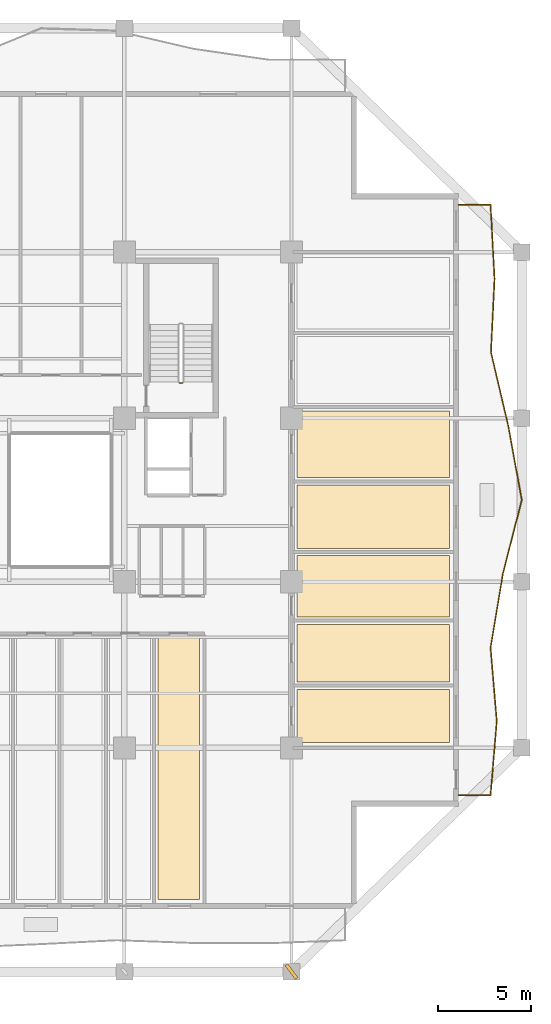
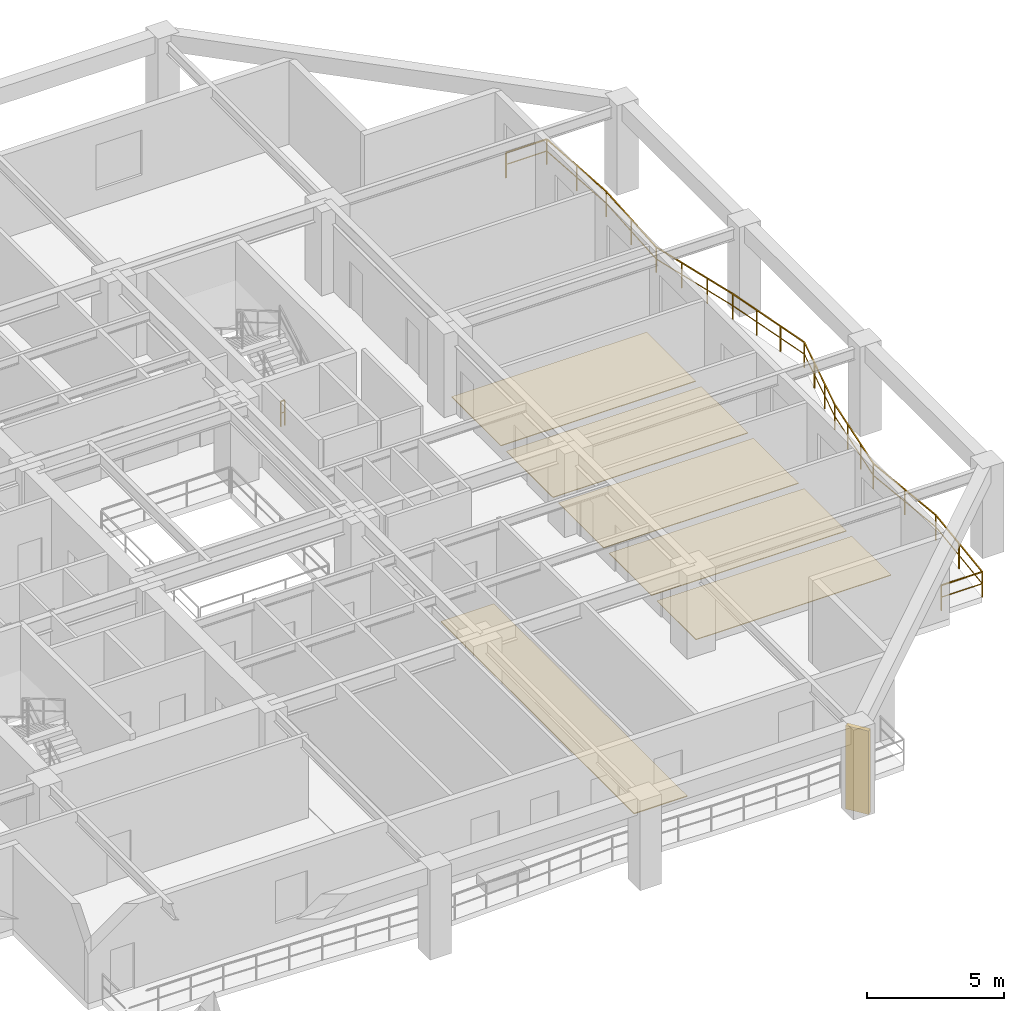
# One storey, part 10 of 13: 6 coverings, 2 railings, 1 shading device.
"""IFC4 building model written with IfcOpenShell, lengths in metres."""

from ifc_helpers import new_model, si_unit, direction, frame, origin, origin_2d, place, context, subcontext, project, spatial, polyline, rectangle, outline, extrude, material, layer, layer_set, type_object, element, save


model = new_model("IFC4")

# Units and contexts
model_context = context("Model", 3, precision=1e-05, world=origin(), true_north=direction((0.0, 1.0)))
body_context = subcontext(model_context, "Body", "Model", "MODEL_VIEW")
ifc_project = project(units=[si_unit("LENGTHUNIT", "METRE"), si_unit("AREAUNIT", "SQUARE_METRE"), si_unit("VOLUMEUNIT", "CUBIC_METRE"), si_unit("PLANEANGLEUNIT", "RADIAN"), si_unit("MASSUNIT", "GRAM", prefix="KILO")], contexts=[model_context])

# Site, building, storey
site_placement = place(None, origin())
site = spatial("IfcSite", under=ifc_project, at=site_placement, CompositionType="ELEMENT")
building_placement = place(site_placement, origin())
building = spatial("IfcBuilding", under=site, at=building_placement, Name="Kundavana Baori Tower", CompositionType="ELEMENT")
storey_placement = place(building_placement, frame((0.0, 0.0, 62.0)))
storey = spatial("IfcBuildingStorey", under=building, at=storey_placement, Name="L14", CompositionType="ELEMENT", Elevation=62.0)

# Coverings
ifc_material_1 = material(Name="Honed Kota Stone and Terrazzo Flooring", Category="masonry")
ifc_layer_1 = layer(ifc_material_1, 0.0400390625, Name="COV-FLR-TERR-40")
ifc_layer_set_1 = layer_set([ifc_layer_1], Name="Honed Kota Stone and Terrazzo Flooring")
covering_type_1 = type_object("IfcCoveringType", Name="COV-FLR-TERR-40", PredefinedType="FLOORING", material=ifc_layer_set_1)
covering_1_placement = place(storey_placement, origin())
element("IfcCovering", 1, at=covering_1_placement, inside=storey, type_object=covering_type_1, Name="L14 Room Finished Stone Flooring 6", PredefinedType="FLOORING", context=body_context, shape_type="SweptSolid", body=[
    extrude(outline(polyline([(35.60009765625, 7.080078125), (37.840087890625, 7.080078125), (37.840087890625, 21.199951171875), (35.60009765625, 21.199951171875), (35.60009765625, 7.080078125)])), origin(), (0.0, 0.0, 1.0), 0.0400390625),
])
ifc_material_2 = material(Name="Honed Kota Stone and Terrazzo Flooring", Category="masonry")
ifc_layer_2 = layer(ifc_material_2, 0.030029296875, Name="COV-INT-FLR")
ifc_layer_set_2 = layer_set([ifc_layer_2], Name="Honed Kota Stone and Terrazzo Flooring")
covering_type_2 = type_object("IfcCoveringType", Name="COV-INT-FLR", PredefinedType="FLOORING", material=ifc_layer_set_2)
covering_2_placement = place(storey_placement, origin())
element("IfcCovering", 2, at=covering_2_placement, inside=storey, type_object=covering_type_2, Name="L14 Room Finished Stone Flooring 7", PredefinedType="FLOORING", context=body_context, shape_type="SweptSolid", body=[
    extrude(outline(polyline([(43.10009765625, 15.550048828125), (51.320068359375, 15.550048828125), (51.320068359375, 18.39990234375), (43.10009765625, 18.39990234375), (43.10009765625, 15.550048828125)])), origin(), (0.0, 0.0, 1.0), 0.030029296875),
])
covering_3_placement = place(storey_placement, origin())
element("IfcCovering", 3, at=covering_3_placement, inside=storey, type_object=covering_type_2, Name="L14 Room Finished Stone Flooring 8", PredefinedType="FLOORING", context=body_context, shape_type="SweptSolid", body=[
    extrude(outline(polyline([(43.10009765625, 18.800048828125), (51.320068359375, 18.800048828125), (51.320068359375, 21.89990234375), (43.10009765625, 21.89990234375), (43.10009765625, 18.800048828125)])), origin(), (0.0, 0.0, 1.0), 0.030029296875),
])
covering_4_placement = place(storey_placement, origin())
element("IfcCovering", 4, at=covering_4_placement, inside=storey, type_object=covering_type_2, Name="L14 Room Finished Stone Flooring 9", PredefinedType="FLOORING", context=body_context, shape_type="SweptSolid", body=[
    extrude(outline(polyline([(43.10009765625, 22.300048828125), (51.320068359375, 22.300048828125), (51.320068359375, 25.60009765625), (43.10009765625, 25.60009765625), (43.10009765625, 22.300048828125)])), origin(), (0.0, 0.0, 1.0), 0.030029296875),
])
covering_5_placement = place(storey_placement, origin())
element("IfcCovering", 5, at=covering_5_placement, inside=storey, type_object=covering_type_2, Name="L14 Room Finished Stone Flooring 10", PredefinedType="FLOORING", context=body_context, shape_type="SweptSolid", body=[
    extrude(outline(polyline([(43.10009765625, 26.0), (51.320068359375, 26.0), (51.320068359375, 29.39990234375), (43.10009765625, 29.39990234375), (43.10009765625, 26.0)])), origin(), (0.0, 0.0, 1.0), 0.030029296875),
])
covering_6_placement = place(storey_placement, origin())
element("IfcCovering", 6, at=covering_6_placement, inside=storey, type_object=covering_type_2, Name="L14 Room Finished Stone Flooring 11", PredefinedType="FLOORING", context=body_context, shape_type="SweptSolid", body=[
    extrude(outline(polyline([(43.10009765625, 29.800048828125), (51.320068359375, 29.800048828125), (51.320068359375, 33.39990234375), (43.10009765625, 33.39990234375), (43.10009765625, 29.800048828125)])), origin(), (0.0, 0.0, 1.0), 0.030029296875),
])

# Railings
ifc_material_3 = material(Name="Architectural Patinated Bronze Metalwork")
railing_type_1 = type_object("IfcRailingType", Name="RL-BAL-1150", PredefinedType="BALUSTRADE", material=ifc_material_3)
railing_1_placement = place(storey_placement, frame((51.800048828125, 44.5, 0.0)))
element("IfcRailing", 7, at=railing_1_placement, inside=storey, type_object=railing_type_1, Name="L14 Loggia Balcony Balustrade E", PredefinedType="BALUSTRADE", context=body_context, shape_type="SweptSolid", body=[
    extrude(rectangle(XDim=0.048095703125, YDim=0.048095703125, at=origin_2d()), frame((0.0, 0.0, 1.1259765625), z_axis=(1.0, 0.0, 0.0), x_axis=(0.0, 1.0, 0.0)), (0.0, 0.0, 1.0), 1.719970703125),
    extrude(rectangle(XDim=0.03125, YDim=0.03125, at=origin_2d()), frame((0.0, 0.0, 0.597900390625), z_axis=(1.0, 0.0, 0.0), x_axis=(0.0, 1.0, 0.0)), (0.0, 0.0, 1.0), 1.719970703125),
    extrude(rectangle(XDim=0.048095703125, YDim=0.048095703125, at=origin_2d()), frame((1.719970703125, 0.0, 1.1259765625), z_axis=(0.054274386588, -0.99852605923, 0.0), x_axis=(0.99852605923, 0.054274386588, 0.0)), (0.0, 0.0, 1.0), 3.98095703125),
    extrude(rectangle(XDim=0.03125, YDim=0.03125, at=origin_2d()), frame((1.719970703125, 0.0, 0.597900390625), z_axis=(0.054274386588, -0.99852605923, 0.0), x_axis=(0.99852605923, 0.054274386588, 0.0)), (0.0, 0.0, 1.0), 3.98095703125),
    extrude(rectangle(XDim=0.048095703125, YDim=0.048095703125, at=origin_2d()), frame((1.93603515625, -3.97509765625, 1.1259765625), z_axis=(-0.048282178605, -0.998833735528, 0.0), x_axis=(0.998833735528, -0.048282178605, 0.0)), (0.0, 0.0, 1.0), 3.9794921875),
    extrude(rectangle(XDim=0.03125, YDim=0.03125, at=origin_2d()), frame((1.93603515625, -3.97509765625, 0.597900390625), z_axis=(-0.048282178605, -0.998833735528, 0.0), x_axis=(0.998833735528, -0.048282178605, 0.0)), (0.0, 0.0, 1.0), 3.9794921875),
    extrude(rectangle(XDim=0.048095703125, YDim=0.048095703125, at=origin_2d()), frame((1.743896484375, -7.949951171875, 1.1259765625), z_axis=(0.229205937216, -0.973377952465, 0.0), x_axis=(0.973377952465, 0.229205937216, 0.0)), (0.0, 0.0, 1.0), 4.083740234375),
    extrude(rectangle(XDim=0.03125, YDim=0.03125, at=origin_2d()), frame((1.743896484375, -7.949951171875, 0.597900390625), z_axis=(0.229205937216, -0.973377952465, 0.0), x_axis=(0.973377952465, 0.229205937216, 0.0)), (0.0, 0.0, 1.0), 4.083740234375),
    extrude(rectangle(XDim=0.048095703125, YDim=0.048095703125, at=origin_2d()), frame((2.679931640625, -11.925048828125, 1.1259765625), z_axis=(0.17823121937, -0.983988634305, 0.0), x_axis=(0.983988634305, 0.17823121937, 0.0)), (0.0, 0.0, 1.0), 4.03955078125),
    extrude(rectangle(XDim=0.03125, YDim=0.03125, at=origin_2d()), frame((2.679931640625, -11.925048828125, 0.597900390625), z_axis=(0.17823121937, -0.983988634305, 0.0), x_axis=(0.983988634305, 0.17823121937, 0.0)), (0.0, 0.0, 1.0), 4.03955078125),
    extrude(rectangle(XDim=0.048095703125, YDim=0.048095703125, at=origin_2d()), frame((3.39990234375, -15.89990234375, 1.1259765625), z_axis=(-0.247377301987, -0.968919228038, 0.0), x_axis=(0.968919228038, -0.247377301987, 0.0)), (0.0, 0.0, 1.0), 4.1025390625),
    extrude(rectangle(XDim=0.03125, YDim=0.03125, at=origin_2d()), frame((3.39990234375, -15.89990234375, 0.597900390625), z_axis=(-0.247377301987, -0.968919228038, 0.0), x_axis=(0.968919228038, -0.247377301987, 0.0)), (0.0, 0.0, 1.0), 4.1025390625),
    extrude(rectangle(XDim=0.048095703125, YDim=0.048095703125, at=origin_2d()), frame((2.385009765625, -19.875, 1.1259765625), z_axis=(-0.164300743998, -0.986410292688, 0.0), x_axis=(0.986410292688, -0.164300743998, 0.0)), (0.0, 0.0, 1.0), 4.02978515625),
    extrude(rectangle(XDim=0.03125, YDim=0.03125, at=origin_2d()), frame((2.385009765625, -19.875, 0.597900390625), z_axis=(-0.164300743998, -0.986410292688, 0.0), x_axis=(0.986410292688, -0.164300743998, 0.0)), (0.0, 0.0, 1.0), 4.02978515625),
    extrude(rectangle(XDim=0.048095703125, YDim=0.048095703125, at=origin_2d()), frame((1.722900390625, -23.85009765625, 1.1259765625), z_axis=(0.083729274706, -0.9964885391, 0.0), x_axis=(0.9964885391, 0.083729274706, 0.0)), (0.0, 0.0, 1.0), 3.98876953125),
    extrude(rectangle(XDim=0.03125, YDim=0.03125, at=origin_2d()), frame((1.722900390625, -23.85009765625, 0.597900390625), z_axis=(0.083729274706, -0.9964885391, 0.0), x_axis=(0.9964885391, 0.083729274706, 0.0)), (0.0, 0.0, 1.0), 3.98876953125),
    extrude(rectangle(XDim=0.048095703125, YDim=0.048095703125, at=origin_2d()), frame((2.056884765625, -27.824951171875, 1.1259765625), z_axis=(-0.084453375278, -0.996427432081, 0.0), x_axis=(0.996427432081, -0.084453375278, 0.0)), (0.0, 0.0, 1.0), 3.9892578125),
    extrude(rectangle(XDim=0.03125, YDim=0.03125, at=origin_2d()), frame((2.056884765625, -27.824951171875, 0.597900390625), z_axis=(-0.084453375278, -0.996427432081, 0.0), x_axis=(0.996427432081, -0.084453375278, 0.0)), (0.0, 0.0, 1.0), 3.9892578125),
    extrude(rectangle(XDim=0.048095703125, YDim=0.048095703125, at=origin_2d()), frame((1.719970703125, -31.800048828125, 1.1259765625), z_axis=(-1.0, 0.0, 0.0), x_axis=(0.0, -1.0, 0.0)), (0.0, 0.0, 1.0), 1.719970703125),
    extrude(rectangle(XDim=0.03125, YDim=0.03125, at=origin_2d()), frame((1.719970703125, -31.800048828125, 0.597900390625), z_axis=(-1.0, 0.0, 0.0), x_axis=(0.0, -1.0, 0.0)), (0.0, 0.0, 1.0), 1.719970703125),
    extrude(rectangle(XDim=0.0419921875, YDim=0.0419921875, at=origin_2d()), origin(), (0.0, 0.0, 1.0), 1.101806640625),
    extrude(rectangle(XDim=0.0419921875, YDim=0.0419921875, at=origin_2d()), frame((1.719970703125, 0.0, 0.0)), (0.0, 0.0, 1.0), 1.101806640625),
    extrude(rectangle(XDim=0.0419921875, YDim=0.0419921875, at=origin_2d()), frame((1.828125, -1.987548828125, 0.0)), (0.0, 0.0, 1.0), 1.101806640625),
    extrude(rectangle(XDim=0.0419921875, YDim=0.0419921875, at=origin_2d()), frame((1.93603515625, -3.97509765625, 0.0)), (0.0, 0.0, 1.0), 1.101806640625),
    extrude(rectangle(XDim=0.0419921875, YDim=0.0419921875, at=origin_2d()), frame((1.83984375, -5.96240234375, 0.0)), (0.0, 0.0, 1.0), 1.101806640625),
    extrude(rectangle(XDim=0.0419921875, YDim=0.0419921875, at=origin_2d()), frame((1.743896484375, -7.949951171875, 0.0)), (0.0, 0.0, 1.0), 1.101806640625),
    extrude(rectangle(XDim=0.0419921875, YDim=0.0419921875, at=origin_2d()), frame((2.055908203125, -9.27490234375, 0.0)), (0.0, 0.0, 1.0), 1.101806640625),
    extrude(rectangle(XDim=0.0419921875, YDim=0.0419921875, at=origin_2d()), frame((2.367919921875, -10.60009765625, 0.0)), (0.0, 0.0, 1.0), 1.101806640625),
    extrude(rectangle(XDim=0.0419921875, YDim=0.0419921875, at=origin_2d()), frame((2.679931640625, -11.925048828125, 0.0)), (0.0, 0.0, 1.0), 1.101806640625),
    extrude(rectangle(XDim=0.0419921875, YDim=0.0419921875, at=origin_2d()), frame((2.919921875, -13.25, 0.0)), (0.0, 0.0, 1.0), 1.101806640625),
    extrude(rectangle(XDim=0.0419921875, YDim=0.0419921875, at=origin_2d()), frame((3.159912109375, -14.574951171875, 0.0)), (0.0, 0.0, 1.0), 1.101806640625),
    extrude(rectangle(XDim=0.0419921875, YDim=0.0419921875, at=origin_2d()), frame((3.39990234375, -15.89990234375, 0.0)), (0.0, 0.0, 1.0), 1.101806640625),
    extrude(rectangle(XDim=0.0419921875, YDim=0.0419921875, at=origin_2d()), frame((3.0615234375, -17.224853515625, 0.0)), (0.0, 0.0, 1.0), 1.101806640625),
    extrude(rectangle(XDim=0.0419921875, YDim=0.0419921875, at=origin_2d()), frame((2.723388671875, -18.550048828125, 0.0)), (0.0, 0.0, 1.0), 1.101806640625),
    extrude(rectangle(XDim=0.0419921875, YDim=0.0419921875, at=origin_2d()), frame((2.385009765625, -19.875, 0.0)), (0.0, 0.0, 1.0), 1.101806640625),
    extrude(rectangle(XDim=0.0419921875, YDim=0.0419921875, at=origin_2d()), frame((2.164306640625, -21.199951171875, 0.0)), (0.0, 0.0, 1.0), 1.101806640625),
    extrude(rectangle(XDim=0.0419921875, YDim=0.0419921875, at=origin_2d()), frame((1.943603515625, -22.525146484375, 0.0)), (0.0, 0.0, 1.0), 1.101806640625),
    extrude(rectangle(XDim=0.0419921875, YDim=0.0419921875, at=origin_2d()), frame((1.722900390625, -23.85009765625, 0.0)), (0.0, 0.0, 1.0), 1.101806640625),
    extrude(rectangle(XDim=0.0419921875, YDim=0.0419921875, at=origin_2d()), frame((1.889892578125, -25.83740234375, 0.0)), (0.0, 0.0, 1.0), 1.101806640625),
    extrude(rectangle(XDim=0.0419921875, YDim=0.0419921875, at=origin_2d()), frame((2.056884765625, -27.824951171875, 0.0)), (0.0, 0.0, 1.0), 1.101806640625),
    extrude(rectangle(XDim=0.0419921875, YDim=0.0419921875, at=origin_2d()), frame((1.888427734375, -29.8125, 0.0)), (0.0, 0.0, 1.0), 1.101806640625),
    extrude(rectangle(XDim=0.0419921875, YDim=0.0419921875, at=origin_2d()), frame((1.719970703125, -31.800048828125, 0.0)), (0.0, 0.0, 1.0), 1.101806640625),
    extrude(rectangle(XDim=0.0419921875, YDim=0.0419921875, at=origin_2d()), frame((0.0, -31.800048828125, 0.0)), (0.0, 0.0, 1.0), 1.101806640625),
])
ifc_material_4 = material(Name="Architectural Patinated Bronze Metalwork")
railing_type_2 = type_object("IfcRailingType", Name="RL-GRD-1150", PredefinedType="GUARDRAIL", material=ifc_material_4)
railing_2_placement = place(storey_placement, frame((36.929931640625, 34.89990234375, 0.0)))
element("IfcRailing", 8, at=railing_2_placement, inside=storey, type_object=railing_type_2, Name="L14 ST3 stair guard 4", PredefinedType="GUARDRAIL", context=body_context, shape_type="SweptSolid", body=[
    extrude(rectangle(XDim=0.048095703125, YDim=0.048095703125, at=origin_2d()), frame((0.0, 0.0, 1.1259765625), z_axis=(-1.0, 0.0, 0.0), x_axis=(0.0, -1.0, 0.0)), (0.0, 0.0, 1.0), 0.159912109375),
    extrude(rectangle(XDim=0.03125, YDim=0.03125, at=origin_2d()), frame((0.0, 0.0, 0.597900390625), z_axis=(-1.0, 0.0, 0.0), x_axis=(0.0, -1.0, 0.0)), (0.0, 0.0, 1.0), 0.159912109375),
    extrude(rectangle(XDim=0.0419921875, YDim=0.0419921875, at=origin_2d()), origin(), (0.0, 0.0, 1.0), 1.101806640625),
    extrude(rectangle(XDim=0.0419921875, YDim=0.0419921875, at=origin_2d()), frame((-0.159912109375, 0.0, 0.0)), (0.0, 0.0, 1.0), 1.101806640625),
])

# Shading device
ifc_material_5 = material(Name="Red-Buff Dholpur Sandstone Cladding on Concrete C40/50", Category="masonry")
shading_device_type = type_object("IfcShadingDeviceType", Name="SHD-FIN-920", PredefinedType="JALOUSIE", material=ifc_material_5)
shading_device_placement = place(storey_placement, frame((42.800048828125, 3.199951171875, 0.0), z_axis=(0.0, 0.0, 1.0), x_axis=(0.798530461347, 0.601954402177, 0.0)))
element("IfcShadingDevice", 9, at=shading_device_placement, inside=storey, type_object=shading_device_type, Name="L14 Sweeping Dholpur Sandstone Facade Fin 4", PredefinedType="JALOUSIE", context=body_context, shape_type="SweptSolid", body=[
    extrude(rectangle(XDim=0.179931640625, YDim=0.919921875, at=origin_2d()), origin(), (0.0, 0.0, 1.0), 3.719970703125),
])

save(model, "model.ifc")
